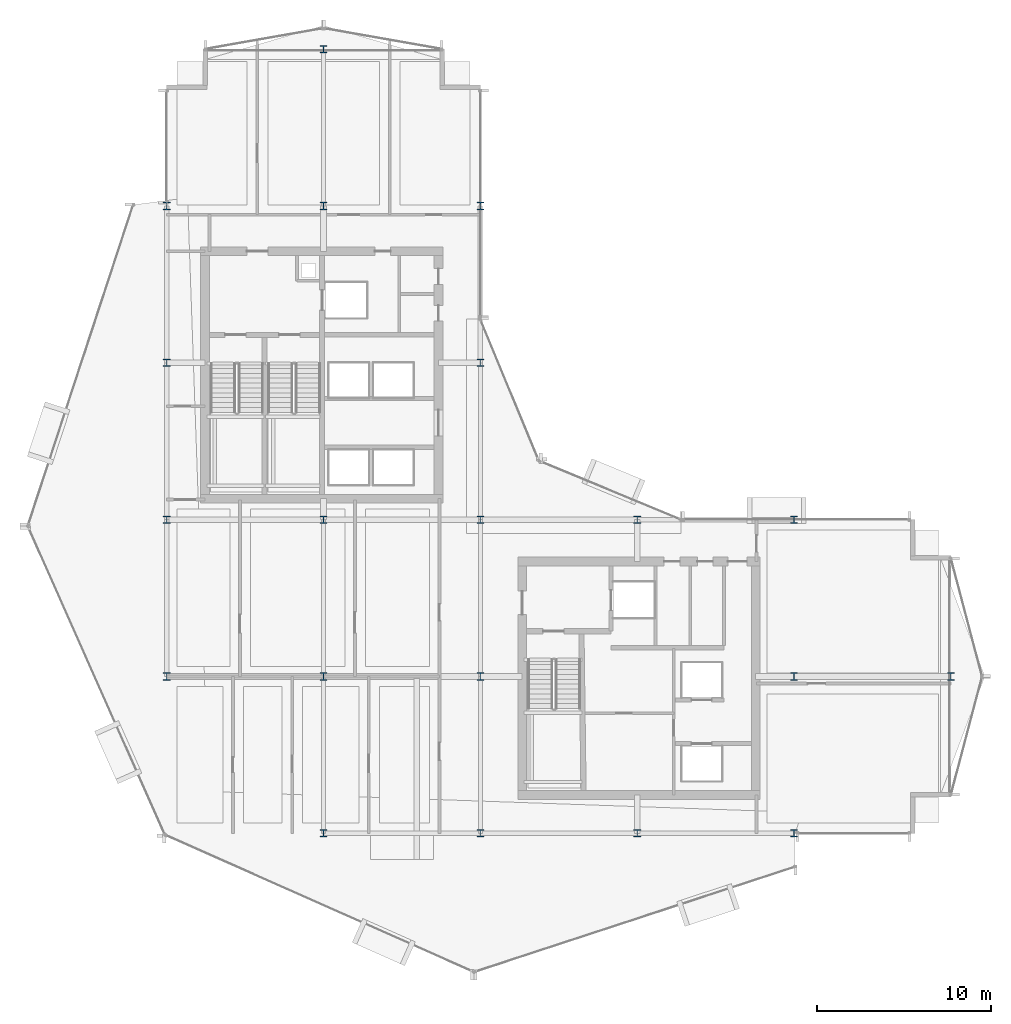
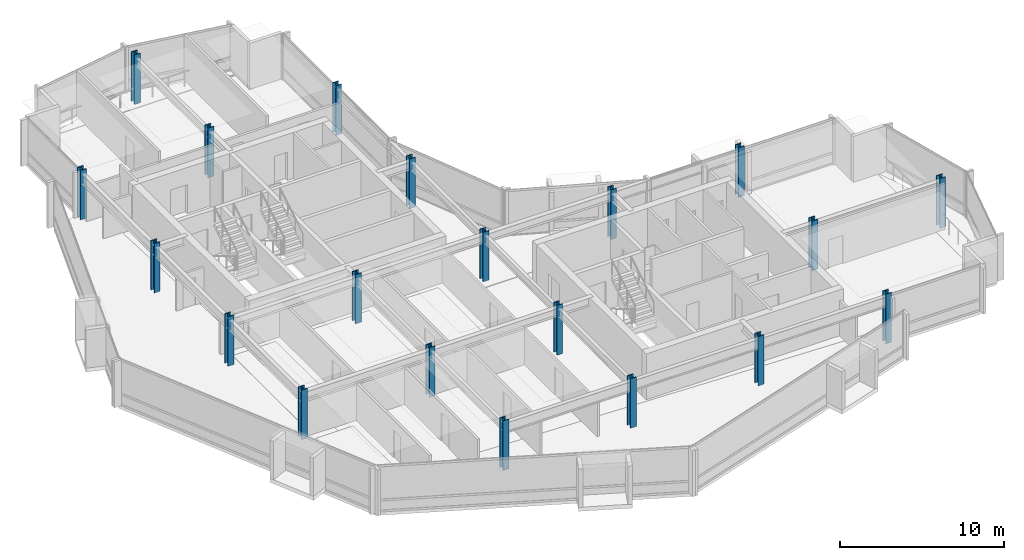
# One storey, part 1 of 28: 20 columns.
"""IFC4 building model written with IfcOpenShell, lengths in metres."""

from ifc_helpers import new_model, si_unit, direction, frame, origin, origin_2d, place, context, subcontext, project, spatial, i_section, extrude, material, material_profile, profile_set, type_object, element, save


model = new_model("IFC4")

# Units and contexts
model_context = context("Model", 3, precision=1e-05, world=origin(), true_north=direction((0.0, 1.0)))
body_context = subcontext(model_context, "Body", "Model", "MODEL_VIEW")
ifc_project = project(units=[si_unit("LENGTHUNIT", "METRE"), si_unit("AREAUNIT", "SQUARE_METRE"), si_unit("VOLUMEUNIT", "CUBIC_METRE"), si_unit("PLANEANGLEUNIT", "RADIAN"), si_unit("MASSUNIT", "GRAM", prefix="KILO")], contexts=[model_context])

# Site, building, storey
site_placement = place(None, origin())
site = spatial("IfcSite", under=ifc_project, at=site_placement, CompositionType="ELEMENT")
building_placement = place(site_placement, origin())
building = spatial("IfcBuilding", under=site, at=building_placement, Name="Solvaryn Broadcast Tower", CompositionType="ELEMENT")
storey_placement = place(building_placement, frame((0.0, 0.0, 158.10009765625)))
storey = spatial("IfcBuildingStorey", under=building, at=storey_placement, Name="L39", CompositionType="ELEMENT", Elevation=158.10009765625)

# Columns
ifc_material_1 = material(Name="Steel ASTM A913 Grade 65", Category="steel")
ifc_material_profile_1 = material_profile(ifc_material_1, i_section(OverallWidth=0.412109375, OverallDepth=0.43505859375, WebThickness=0.035888671875, FlangeThickness=0.057373046875, FilletRadius=0.014892578125, at=origin_2d()))
ifc_profile_set_1 = profile_set([ifc_material_profile_1], Name="Steel ASTM A913 Grade 65")
column_type_1 = type_object("IfcColumnType", Name="COL-C06E-W14X311", PredefinedType="COLUMN", material=ifc_profile_set_1)
for number, where, z_axis, x_axis, name in (
    (1, (9.0, 18.0, 0.0), (0.0, 0.0, 1.0), (1.0, 0.0, 0.0), "L39 Column (9.0, 18.0)"),
    (2, (9.0, 27.0, 0.0), (0.0, 0.0, 1.0), (1.0, 0.0, 0.0), "L39 Column (9.0, 27.0)"),
    (3, (9.0, 36.0, 0.0), (0.0, 0.0, 1.0), (1.0, 0.0, 0.0), "L39 Column (9.0, 36.0)"),
    (4, (9.0, 45.0, 0.0), (0.0, 0.0, 1.0), (1.0, 0.0, 0.0), "L39 Column (9.0, 45.0)"),
    (5, (18.0, 9.0, 0.0), (0.0, 0.0, 1.0), (1.0, 0.0, 0.0), "L39 Column (18.0, 9.0)"),
    (6, (18.0, 54.0, 0.0), (0.0, 0.0, 1.0), (1.0, 0.0, 0.0), "L39 Column (18.0, 54.0)"),
    (7, (27.0, 9.0, 0.0), (0.0, 0.0, 1.0), (1.0, 0.0, 0.0), "L39 Column (27.0, 9.0)"),
    (8, (27.0, 36.0, 0.0), (0.0, 0.0, 1.0), (1.0, 0.0, 0.0), "L39 Column (27.0, 36.0)"),
    (9, (27.0, 45.0, 0.0), (0.0, 0.0, 1.0), (1.0, 0.0, 0.0), "L39 Column (27.0, 45.0)"),
    (10, (36.0, 9.0, 0.0), (0.0, 0.0, 1.0), (1.0, 0.0, 0.0), "L39 Column (36.0, 9.0)"),
    (11, (36.0, 27.0, 0.0), (0.0, 0.0, 1.0), (1.0, 0.0, 0.0), "L39 Column (36.0, 27.0)"),
    (12, (45.0, 9.0, 0.0), (0.0, 0.0, 1.0), (1.0, 0.0, 0.0), "L39 Column (45.0, 9.0)"),
    (13, (45.0, 27.0, 0.0), (0.0, 0.0, 1.0), (1.0, 0.0, 0.0), "L39 Column (45.0, 27.0)"),
    (14, (54.0, 18.0, 0.0), (0.0, 0.0, 1.0), (1.0, 0.0, 0.0), "L39 Column (54.0, 18.0)"),
):
    element("IfcColumn", number, at=place(storey_placement, frame(where, z_axis=z_axis, x_axis=x_axis)), inside=storey, type_object=column_type_1, Name=name, PredefinedType="COLUMN", context=body_context, shape_type="SweptSolid", body=[
        extrude(i_section(OverallWidth=0.412109375, OverallDepth=0.43505859375, WebThickness=0.035888671875, FlangeThickness=0.057373046875, FilletRadius=0.014892578125, at=origin_2d()), origin(), (0.0, 0.0, 1.0), 3.699951171875),
    ])
ifc_material_2 = material(Name="Steel ASTM A913 Grade 65", Category="steel")
ifc_material_profile_2 = material_profile(ifc_material_2, i_section(OverallWidth=0.412109375, OverallDepth=0.43505859375, WebThickness=0.035888671875, FlangeThickness=0.057373046875, FilletRadius=0.014892578125, at=origin_2d()))
ifc_profile_set_2 = profile_set([ifc_material_profile_2], Name="Steel ASTM A913 Grade 65")
column_type_2 = type_object("IfcColumnType", Name="COL-C06I-W14X311", PredefinedType="COLUMN", material=ifc_profile_set_2)
for number, where, z_axis, x_axis, name in (
    (15, (18.0, 18.0, 0.0), (0.0, 0.0, 1.0), (1.0, 0.0, 0.0), "L39 Column (18.0, 18.0)"),
    (16, (18.0, 27.0, 0.0), (0.0, 0.0, 1.0), (1.0, 0.0, 0.0), "L39 Column (18.0, 27.0)"),
    (17, (18.0, 45.0, 0.0), (0.0, 0.0, 1.0), (1.0, 0.0, 0.0), "L39 Column (18.0, 45.0)"),
    (18, (27.0, 18.0, 0.0), (0.0, 0.0, 1.0), (1.0, 0.0, 0.0), "L39 Column (27.0, 18.0)"),
    (19, (27.0, 27.0, 0.0), (0.0, 0.0, 1.0), (1.0, 0.0, 0.0), "L39 Column (27.0, 27.0)"),
    (20, (45.0, 18.0, 0.0), (0.0, 0.0, 1.0), (1.0, 0.0, 0.0), "L39 Column (45.0, 18.0)"),
):
    element("IfcColumn", number, at=place(storey_placement, frame(where, z_axis=z_axis, x_axis=x_axis)), inside=storey, type_object=column_type_2, Name=name, PredefinedType="COLUMN", context=body_context, shape_type="SweptSolid", body=[
        extrude(i_section(OverallWidth=0.412109375, OverallDepth=0.43505859375, WebThickness=0.035888671875, FlangeThickness=0.057373046875, FilletRadius=0.014892578125, at=origin_2d()), origin(), (0.0, 0.0, 1.0), 3.699951171875),
    ])

save(model, "model.ifc")
